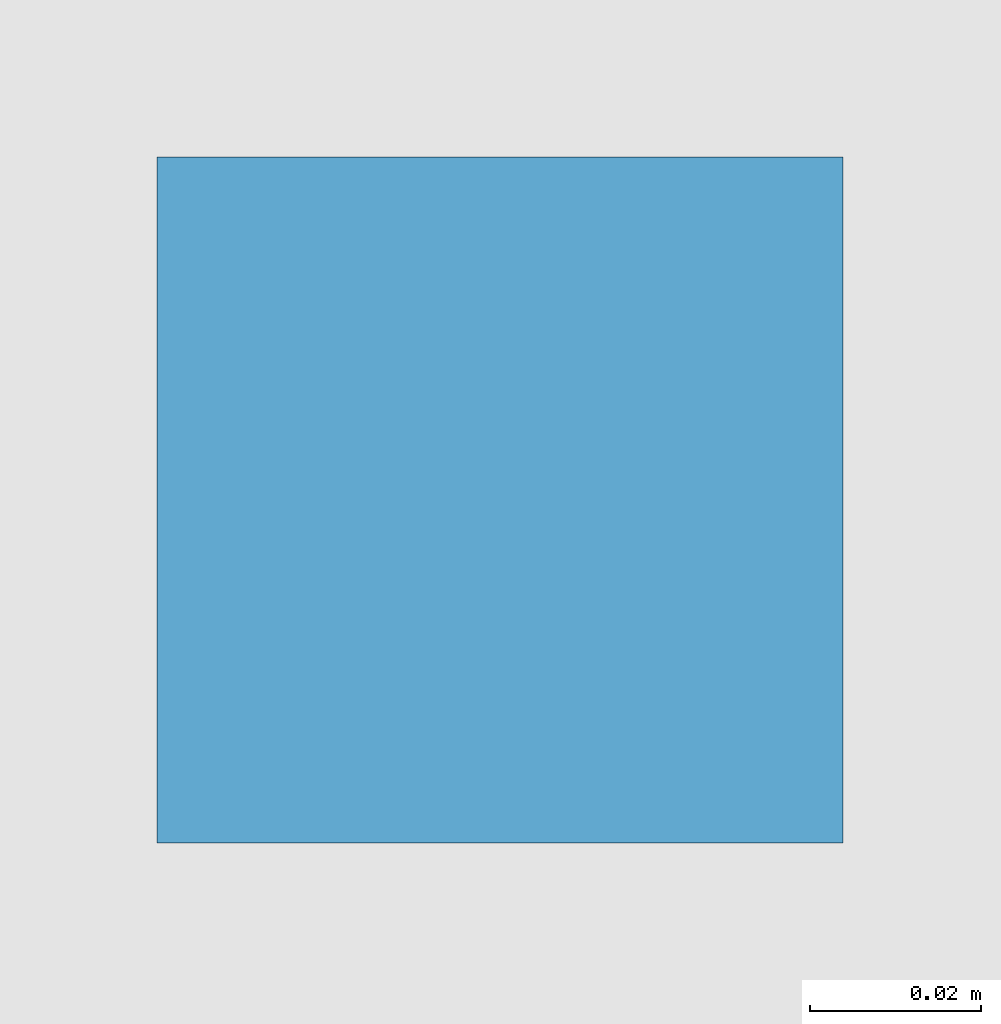
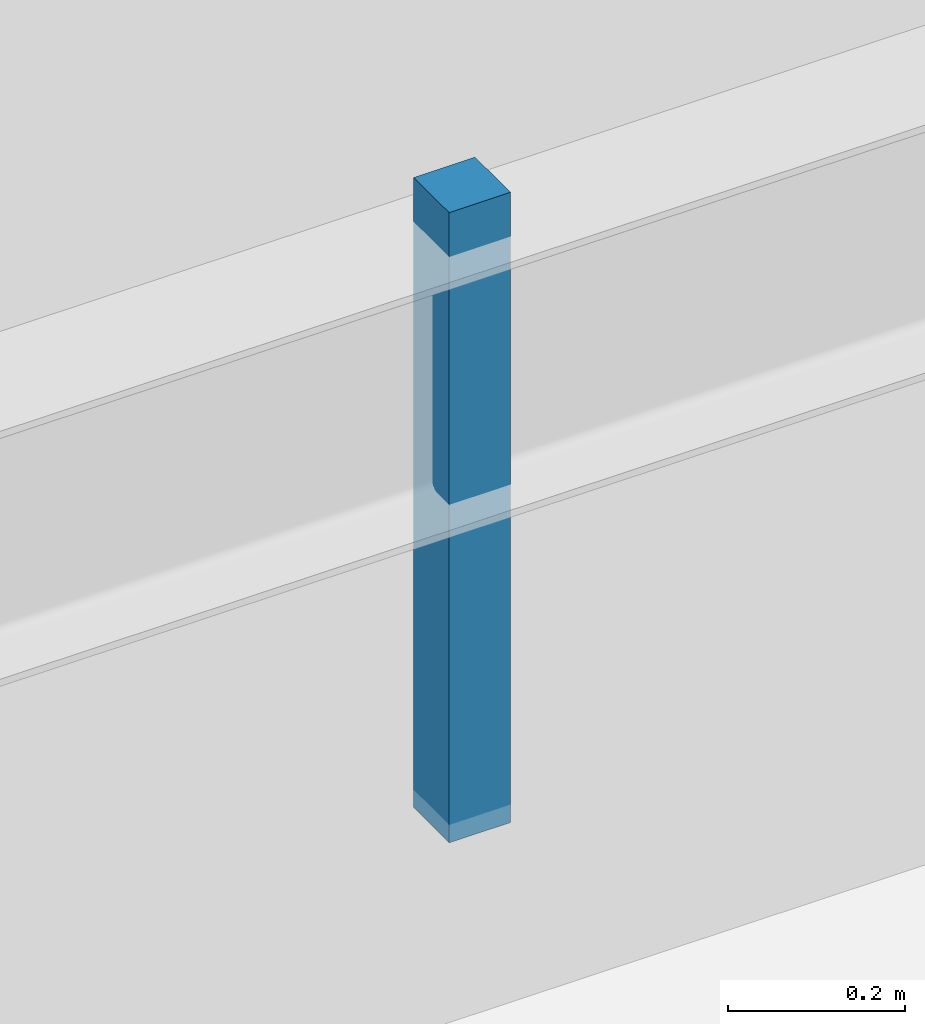
# One storey, part 66 of 78: 1 discrete accessory.
"""IFC4 building model written with IfcOpenShell, lengths in metres."""

import ifcopenshell
import ifcopenshell.guid

model = None  # the IFC model being written
_history = None  # IfcOwnerHistory: only IFC2X3 demands one
_inside = {}  # id of a spatial element -> (the spatial element, [elements in it])
_under = {}  # id of a project, library or spatial element -> (it, [spatial elements below it])
_declared = {}  # id of a project -> (the project, [libraries it declares])
_typed = {}  # id of a type object -> (the type object, [elements of that type])
_made_of = {}  # id of a material, layer set ... -> (it, [elements and type objects made of it])


def new_model(schema):
    """Start an empty IFC model of exactly this schema.

    Asked for "IFC4X3", IfcOpenShell would pick the latest addendum, in which some entities
    have other attributes; the version numbers below select the first issue.
    IFC2X3 requires an IfcOwnerHistory on every rooted entity: one is made here for all.
    """
    global model, _history
    if schema == "IFC4X3":
        model = ifcopenshell.file(schema_version=(4, 3, 0, 0))
    else:
        model = ifcopenshell.file(schema=schema)
    _inside.clear()
    _under.clear()
    _declared.clear()
    _typed.clear()
    _made_of.clear()
    _history = None
    if model.schema == "IFC2X3":
        org = make("IfcOrganization", Name="unknown")
        user = make(
            "IfcPersonAndOrganization",
            ThePerson=make("IfcPerson", FamilyName="unknown"),
            TheOrganization=org,
        )
        app = make(
            "IfcApplication",
            ApplicationDeveloper=org,
            Version="unknown",
            ApplicationFullName="unknown",
            ApplicationIdentifier="unknown",
        )
        _history = make(
            "IfcOwnerHistory",
            OwningUser=user,
            OwningApplication=app,
            ChangeAction="ADDED",
            CreationDate=0,
        )
    return model


def make(cls, **values):
    """One entity of the class cls with the attributes given. An attribute that is None is left unset."""
    return model.create_entity(
        cls, **{name: value for name, value in values.items() if value is not None}
    )


def rooted(cls, **values):
    """An entity with a GlobalId (a new one), such as an element, a storey or a relation."""
    return make(cls, GlobalId=ifcopenshell.guid.new(), OwnerHistory=_history, **values)


def si_unit(unit_type, name, prefix=None):
    """IfcSIUnit, for example si_unit("LENGTHUNIT", "METRE", prefix="MILLI")."""
    return make("IfcSIUnit", UnitType=unit_type, Prefix=prefix, Name=name)


def assignment(units):
    """IfcUnitAssignment: the units of a project."""
    return None if units is None else make("IfcUnitAssignment", Units=units)


def point(xyz):
    """IfcCartesianPoint."""
    return None if xyz is None else make("IfcCartesianPoint", Coordinates=xyz)


def direction(xyz):
    """IfcDirection."""
    return None if xyz is None else make("IfcDirection", DirectionRatios=xyz)


def frame(location, z_axis=None, x_axis=None):
    """IfcAxis2Placement3D, a coordinate frame: its origin and axes. An axis left out is left unset."""
    return make(
        "IfcAxis2Placement3D",
        Location=point(location),
        Axis=direction(z_axis),
        RefDirection=direction(x_axis),
    )


def frame_2d(location, x_axis=None):
    """IfcAxis2Placement2D, a coordinate frame in the plane: its origin and x axis."""
    return make(
        "IfcAxis2Placement2D", Location=point(location), RefDirection=direction(x_axis)
    )


def origin():
    """The frame at (0, 0, 0) with its axes left unset."""
    return frame((0.0, 0.0, 0.0))


def origin_2d():
    """The frame at (0, 0) in the plane with its x axis left unset."""
    return frame_2d((0.0, 0.0))


def place(relative_to, where):
    """IfcLocalPlacement: puts the frame where relative to a parent placement (None: the world)."""
    return make(
        "IfcLocalPlacement", PlacementRelTo=relative_to, RelativePlacement=where
    )


def context(
    kind, dimensions, precision=None, world=None, true_north=None, identifier=None
):
    """IfcGeometricRepresentationContext, for example the 3D "Model" context."""
    return make(
        "IfcGeometricRepresentationContext",
        ContextIdentifier=identifier,
        ContextType=kind,
        CoordinateSpaceDimension=dimensions,
        Precision=precision,
        WorldCoordinateSystem=world,
        TrueNorth=true_north,
    )


def subcontext(parent, identifier, kind, view, scale=None):
    """IfcGeometricRepresentationSubContext, for example "Body" below "Model"."""
    return make(
        "IfcGeometricRepresentationSubContext",
        ContextIdentifier=identifier,
        ContextType=kind,
        ParentContext=parent,
        TargetScale=scale,
        TargetView=view,
    )


def project(units=None, contexts=None):
    """IfcProject with its units and contexts."""
    return rooted(
        "IfcProject",
        Name="project",
        RepresentationContexts=contexts,
        UnitsInContext=assignment(units),
    )


def spatial(cls, under=None, at=None, **own):
    """A site, building, storey or space (cls), placed at a placement, below another one or the project."""
    s = rooted(cls, ObjectPlacement=at, **own)
    if under is not None:
        _under.setdefault(under.id(), (under, []))[1].append(s)
    return s


def profile(cls, at=None, kind="AREA", **sizes):
    """A parametric profile (cls). Its sizes go by their IFC names, for example OverallWidth=200.0."""
    return make(cls, ProfileType=kind, Position=at, **sizes)


def rectangle(**sizes):
    """IfcRectangleProfileDef."""
    return profile("IfcRectangleProfileDef", **sizes)


def extrude(swept, where, along, depth):
    """IfcExtrudedAreaSolid: the profile swept, set in the frame where, extruded along a direction by depth."""
    return make(
        "IfcExtrudedAreaSolid",
        SweptArea=swept,
        Position=where,
        ExtrudedDirection=direction(along),
        Depth=depth,
    )


def shape(context_of_items, identifier, shape_type, items):
    """IfcShapeRepresentation: the items that make up one representation, for example the "Body"."""
    return make(
        "IfcShapeRepresentation",
        ContextOfItems=context_of_items,
        RepresentationIdentifier=identifier,
        RepresentationType=shape_type,
        Items=items,
    )


def material(Name=None, Category=None):
    """IfcMaterial."""
    return make("IfcMaterial", Name=Name, Category=Category)


def made_of(thing, what):
    """Note that an element or type object is made of a material, layer set ...; save() writes the relation."""
    if what is not None:
        _made_of.setdefault(what.id(), (what, []))[1].append(thing)
    return thing


def type_object(cls, material=None, **own):
    """A type object (cls), such as IfcWallType, which elements share."""
    return made_of(rooted(cls, **own), material)


def element(
    cls,
    number,
    at=None,
    inside=None,
    cuts=None,
    type_object=None,
    material=None,
    context=None,
    identifier="Body",
    shape_type=None,
    held_by="IfcProductDefinitionShape",
    body=None,
    shapes=None,
    **own,
):
    """One element of the class cls, such as IfcWall. Its Tag is "e" and its number.

    at: its placement. inside: the storey or other place that contains it. cuts: it is an
    opening in that element (IfcRelVoidsElement). A single representation is given by context,
    identifier, shape_type and body (its items); several are given by shapes. held_by: the class
    of the entity that holds the representations. save() writes the other relations.
    """
    e = rooted(cls, Tag="e%d" % number, ObjectPlacement=at, **own)
    if body is not None:
        shapes = [shape(context, identifier, shape_type, body)]
    if shapes is not None:
        e.Representation = make(held_by, Representations=shapes)
    if inside is not None:
        _inside.setdefault(inside.id(), (inside, []))[1].append(e)
    if cuts is not None:
        rooted(
            "IfcRelVoidsElement", RelatingBuildingElement=cuts, RelatedOpeningElement=e
        )
    if type_object is not None:
        _typed.setdefault(type_object.id(), (type_object, []))[1].append(e)
    return made_of(e, material)


def aggregate(whole, parts):
    """IfcRelAggregates: a whole, such as a stair, and the parts it consists of."""
    return rooted("IfcRelAggregates", RelatingObject=whole, RelatedObjects=parts)


def save(model, path):
    """Write the relations noted so far, then the file.

    IfcRelAggregates (storeys below a building ...), IfcRelContainedInSpatialStructure (elements
    in a storey), IfcRelDefinesByType, IfcRelAssociatesMaterial and IfcRelDeclares: one each for
    every whole, place, type object, material and project.
    """
    for whole, parts in _under.values():
        aggregate(whole, parts)
    for where, things in _inside.values():
        rooted(
            "IfcRelContainedInSpatialStructure",
            RelatedElements=things,
            RelatingStructure=where,
        )
    for kind, things in _typed.values():
        rooted("IfcRelDefinesByType", RelatedObjects=things, RelatingType=kind)
    for what, things in _made_of.values():
        rooted("IfcRelAssociatesMaterial", RelatedObjects=things, RelatingMaterial=what)
    for by, libraries in _declared.values():
        rooted("IfcRelDeclares", RelatingContext=by, RelatedDefinitions=libraries)
    model.write(path)


model = new_model("IFC4")

# Units and contexts
model_context = context("Model", 3, precision=1e-05, world=origin(), true_north=direction((0.0, 1.0)))
body_context = subcontext(model_context, "Body", "Model", "MODEL_VIEW")
ifc_project = project(units=[si_unit("LENGTHUNIT", "METRE"), si_unit("AREAUNIT", "SQUARE_METRE"), si_unit("VOLUMEUNIT", "CUBIC_METRE"), si_unit("PLANEANGLEUNIT", "RADIAN"), si_unit("MASSUNIT", "GRAM", prefix="KILO")], contexts=[model_context])

# Site, building, storey
site_placement = place(None, origin())
site = spatial("IfcSite", under=ifc_project, at=site_placement, CompositionType="ELEMENT")
building_placement = place(site_placement, origin())
building = spatial("IfcBuilding", under=site, at=building_placement, Name="Solmirada Galleria", CompositionType="ELEMENT")
storey_placement = place(building_placement, frame((0.0, 0.0, 23.89990234375)))
storey = spatial("IfcBuildingStorey", under=building, at=storey_placement, Name="L05", CompositionType="ELEMENT", Elevation=23.89990234375)

# Discrete accessory
ifc_material = material(Name="Steel S355 / ASTM A992 Grade 50", Category="steel")
discrete_accessory_type = type_object("IfcDiscreteAccessoryType", Name="ACC-CEIL-HANGER", PredefinedType="BRACKET", material=ifc_material)
discrete_accessory_placement = place(storey_placement, frame((92.0, 20.0, 3.449951171875), z_axis=(0.0, 0.0, 1.0), x_axis=(1.0, 0.0, 0.0)))
element("IfcDiscreteAccessory", 1, at=discrete_accessory_placement, inside=storey, type_object=discrete_accessory_type, Name="Ceiling suspension hanger L05-2", PredefinedType="BRACKET", context=body_context, shape_type="SweptSolid", body=[
    extrude(rectangle(XDim=0.080078125, YDim=0.080078125, at=origin_2d()), origin(), (0.0, 0.0, 1.0), 0.8701171875),
])

save(model, "model.ifc")
